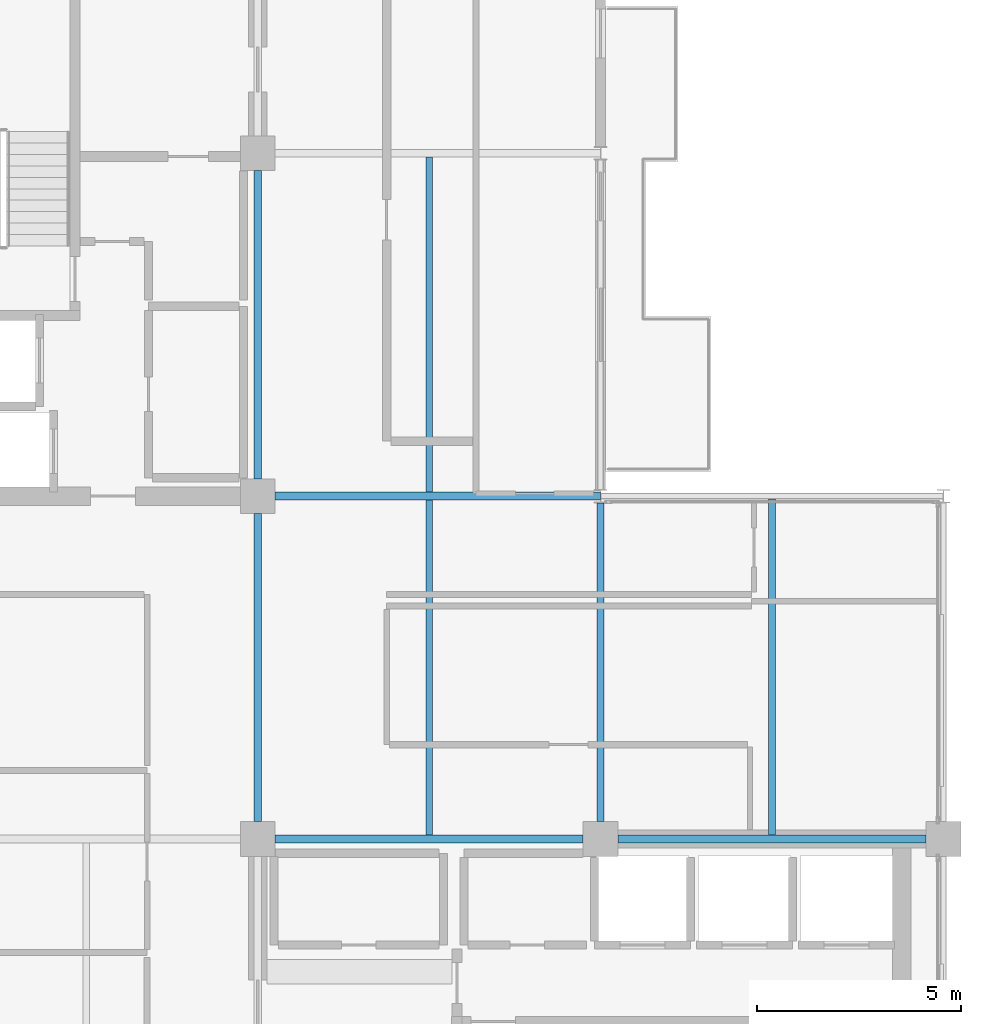
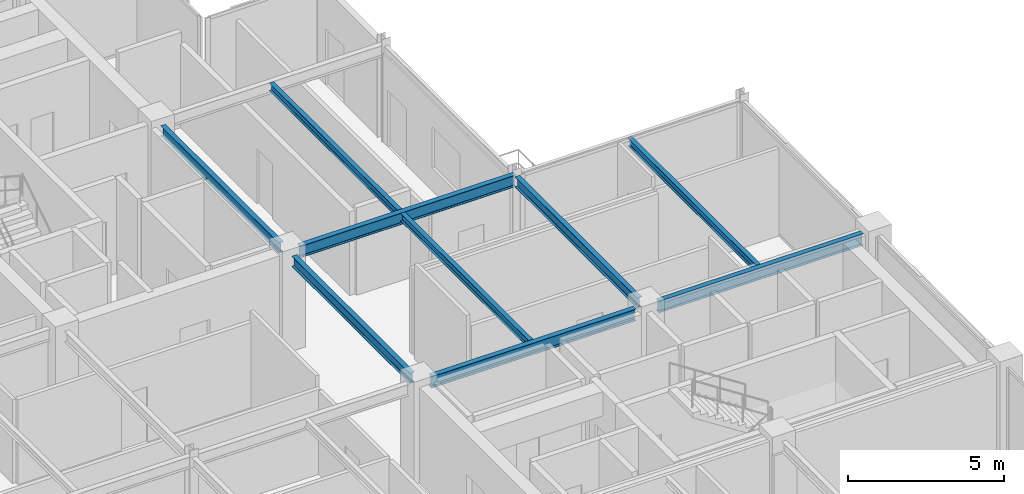
# One storey, part 12 of 24: 9 beams.
"""IFC4 building model written with IfcOpenShell, lengths in metres."""

from ifc_helpers import new_model, si_unit, direction, frame, origin, origin_2d, place, context, subcontext, project, spatial, i_section, extrude, material, material_profile, profile_set, type_object, element, save


model = new_model("IFC4")

# Units and contexts
model_context = context("Model", 3, precision=1e-05, world=origin(), true_north=direction((0.0, 1.0)))
body_context = subcontext(model_context, "Body", "Model", "MODEL_VIEW")
ifc_project = project(units=[si_unit("LENGTHUNIT", "METRE"), si_unit("AREAUNIT", "SQUARE_METRE"), si_unit("VOLUMEUNIT", "CUBIC_METRE"), si_unit("PLANEANGLEUNIT", "RADIAN"), si_unit("MASSUNIT", "GRAM", prefix="KILO")], contexts=[model_context])

# Site, building, storey
site_placement = place(None, origin())
site = spatial("IfcSite", under=ifc_project, at=site_placement, CompositionType="ELEMENT")
building_placement = place(site_placement, origin())
building = spatial("IfcBuilding", under=site, at=building_placement, Name="Nerrivon Quay Data Exchange", CompositionType="ELEMENT")
storey_placement = place(building_placement, frame((0.0, 0.0, 294.199951171875)))
storey = spatial("IfcBuildingStorey", under=building, at=storey_placement, Name="L70", CompositionType="ELEMENT", Elevation=294.199951171875)

# Beams
ifc_material = material(Name="Steel Grade 350", Category="steel")
ifc_material_profile_1 = material_profile(ifc_material, i_section(OverallWidth=0.18994140625, OverallDepth=0.4541015625, WebThickness=0.008544921875, FlangeThickness=0.0126953125, FilletRadius=0.011474609375, at=origin_2d()), Name="460UB67.1")
ifc_profile_set_1 = profile_set([ifc_material_profile_1], Name="Steel Grade 350")
beam_type_1 = type_object("IfcBeamType", Name="BM-G6-460UB67", PredefinedType="BEAM", material=ifc_profile_set_1)
beam_1_placement = place(storey_placement, frame((17.22509765625, 16.800048828125, 3.498046875), z_axis=(1.0, 0.0, 0.0), x_axis=(0.0, 1.0, 0.0)))
element("IfcBeam", 1, at=beam_1_placement, inside=storey, type_object=beam_type_1, Name="L70 EW Girder Y=16.8 (16.8..25.2)", PredefinedType="BEAM", context=body_context, shape_type="SweptSolid", body=[
    extrude(i_section(OverallWidth=0.18994140625, OverallDepth=0.4541015625, WebThickness=0.008544921875, FlangeThickness=0.0126953125, FilletRadius=0.011474609375, at=origin_2d()), origin(), (0.0, 0.0, 1.0), 7.5498046875),
])
beam_2_placement = place(storey_placement, frame((25.625, 16.800048828125, 3.498046875), z_axis=(1.0, 0.0, 0.0), x_axis=(0.0, 1.0, 0.0)))
element("IfcBeam", 2, at=beam_2_placement, inside=storey, type_object=beam_type_1, Name="L70 EW Girder Y=16.8 (25.2..33.6)", PredefinedType="BEAM", context=body_context, shape_type="SweptSolid", body=[
    extrude(i_section(OverallWidth=0.18994140625, OverallDepth=0.4541015625, WebThickness=0.008544921875, FlangeThickness=0.0126953125, FilletRadius=0.011474609375, at=origin_2d()), origin(), (0.0, 0.0, 1.0), 7.550048828125),
])
beam_3_placement = place(storey_placement, frame((17.22509765625, 25.199951171875, 3.498046875), z_axis=(1.0, 0.0, 0.0), x_axis=(0.0, 1.0, 0.0)))
element("IfcBeam", 3, at=beam_3_placement, inside=storey, type_object=beam_type_1, Name="L70 EW Girder Y=25.2 (16.8..25.2)", PredefinedType="BEAM", context=body_context, shape_type="SweptSolid", body=[
    extrude(i_section(OverallWidth=0.18994140625, OverallDepth=0.4541015625, WebThickness=0.008544921875, FlangeThickness=0.0126953125, FilletRadius=0.011474609375, at=origin_2d()), origin(), (0.0, 0.0, 1.0), 7.967041015625),
])
ifc_material_profile_2 = material_profile(ifc_material, i_section(OverallWidth=0.177978515625, OverallDepth=0.406005859375, WebThickness=0.0078125, FlangeThickness=0.0126953125, FilletRadius=0.011474609375, at=origin_2d()), Name="410UB59.7")
ifc_profile_set_2 = profile_set([ifc_material_profile_2], Name="Steel Grade 350")
beam_type_2 = type_object("IfcBeamType", Name="BM-J1-410UB60", PredefinedType="JOIST", material=ifc_profile_set_2)
beam_4_placement = place(storey_placement, frame((16.800048828125, 17.22509765625, 3.52197265625), z_axis=(0.0, 1.0, 0.0), x_axis=(-1.0, 0.0, 0.0)))
element("IfcBeam", 4, at=beam_4_placement, inside=storey, type_object=beam_type_2, Name="L70 NS Girder X=16.8 (16.8..25.2)", PredefinedType="JOIST", context=body_context, shape_type="SweptSolid", body=[
    extrude(i_section(OverallWidth=0.177978515625, OverallDepth=0.406005859375, WebThickness=0.0078125, FlangeThickness=0.0126953125, FilletRadius=0.011474609375, at=origin_2d()), origin(), (0.0, 0.0, 1.0), 7.5498046875),
])
beam_5_placement = place(storey_placement, frame((16.800048828125, 25.625, 3.52197265625), z_axis=(0.0, 1.0, 0.0), x_axis=(-1.0, 0.0, 0.0)))
element("IfcBeam", 5, at=beam_5_placement, inside=storey, type_object=beam_type_2, Name="L70 NS Girder X=16.8 (25.2..33.6)", PredefinedType="JOIST", context=body_context, shape_type="SweptSolid", body=[
    extrude(i_section(OverallWidth=0.177978515625, OverallDepth=0.406005859375, WebThickness=0.0078125, FlangeThickness=0.0126953125, FilletRadius=0.011474609375, at=origin_2d()), origin(), (0.0, 0.0, 1.0), 7.550048828125),
])
beam_6_placement = place(storey_placement, frame((25.199951171875, 17.22509765625, 3.52197265625), z_axis=(0.0, 1.0, 0.0), x_axis=(-1.0, 0.0, 0.0)))
element("IfcBeam", 6, at=beam_6_placement, inside=storey, type_object=beam_type_2, Name="L70 NS Girder X=25.2 (16.8..25.2)", PredefinedType="JOIST", context=body_context, shape_type="SweptSolid", body=[
    extrude(i_section(OverallWidth=0.177978515625, OverallDepth=0.406005859375, WebThickness=0.0078125, FlangeThickness=0.0126953125, FilletRadius=0.011474609375, at=origin_2d()), origin(), (0.0, 0.0, 1.0), 7.8115234375),
])
ifc_material_profile_3 = material_profile(ifc_material, i_section(OverallWidth=0.1650390625, OverallDepth=0.303955078125, WebThickness=0.006103515625, FlangeThickness=0.01025390625, FilletRadius=0.011474609375, at=origin_2d()), Name="310UB40.4")
ifc_profile_set_3 = profile_set([ifc_material_profile_3], Name="Steel Grade 350")
beam_type_3 = type_object("IfcBeamType", Name="BM-J6-310UB40", PredefinedType="JOIST", material=ifc_profile_set_3)
for number, where, z_axis, x_axis, name in (
    (7, (21.0, 16.89501953125, 3.572998046875), (0.0, 1.0, 0.0), (-1.0, 0.0, 0.0), "L70 Secondary Joist X=21.0 (16.8..25.2)"),
    (8, (21.0, 25.294921875, 3.572998046875), (0.0, 1.0, 0.0), (-1.0, 0.0, 0.0), "L70 Secondary Joist X=21.0 (25.2..33.6)"),
):
    element("IfcBeam", number, at=place(storey_placement, frame(where, z_axis=z_axis, x_axis=x_axis)), inside=storey, type_object=beam_type_3, Name=name, PredefinedType="JOIST", context=body_context, shape_type="SweptSolid", body=[
        extrude(i_section(OverallWidth=0.1650390625, OverallDepth=0.303955078125, WebThickness=0.006103515625, FlangeThickness=0.01025390625, FilletRadius=0.011474609375, at=origin_2d()), origin(), (0.0, 0.0, 1.0), 8.2099609375),
    ])
beam_7_placement = place(storey_placement, frame((29.39990234375, 16.89501953125, 3.572998046875), z_axis=(0.0, 1.0, 0.0), x_axis=(-1.0, 0.0, 0.0)))
element("IfcBeam", 9, at=beam_7_placement, inside=storey, type_object=beam_type_3, Name="L70 Secondary Joist X=29.4 (16.8..25.2)", PredefinedType="JOIST", context=body_context, shape_type="SweptSolid", body=[
    extrude(i_section(OverallWidth=0.1650390625, OverallDepth=0.303955078125, WebThickness=0.006103515625, FlangeThickness=0.01025390625, FilletRadius=0.011474609375, at=origin_2d()), origin(), (0.0, 0.0, 1.0), 8.22998046875),
])

save(model, "model.ifc")
